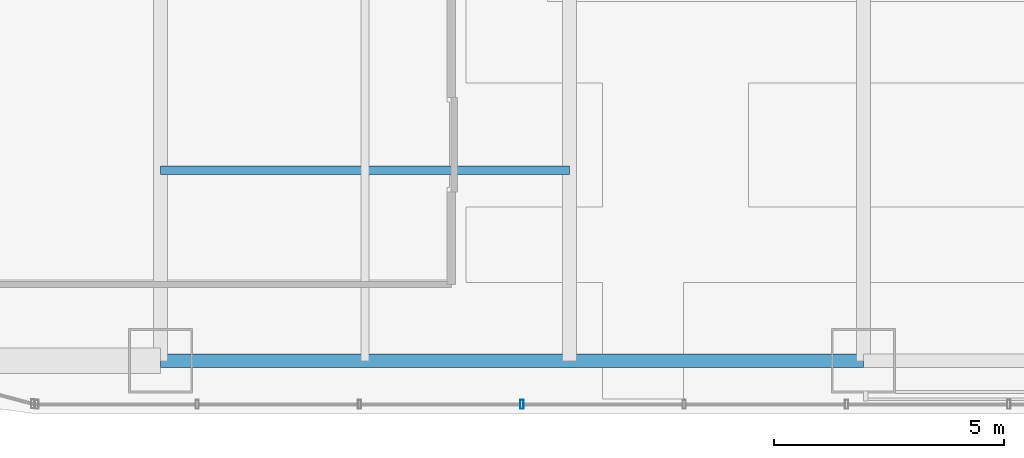
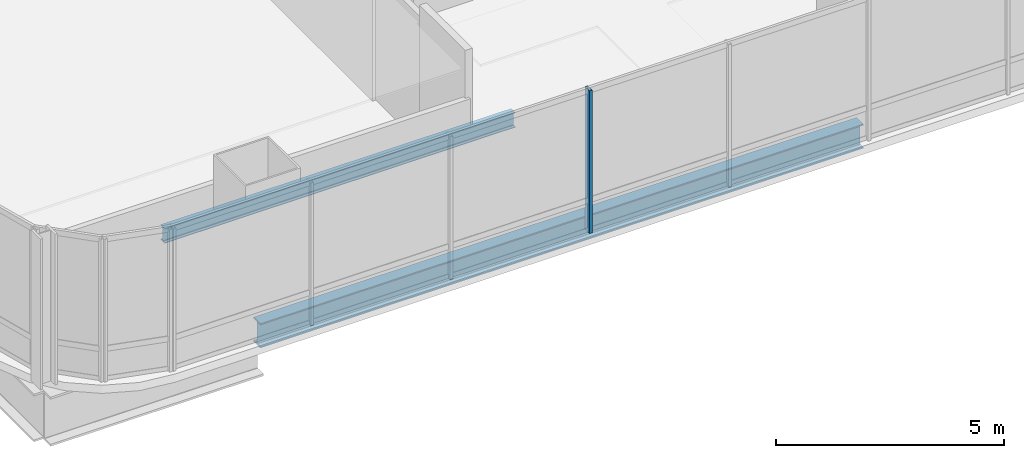
# One storey, part 3 of 38: 2 beams, 1 member, 1 element without a shape of its own.
"""IFC4 building model written with IfcOpenShell, lengths in metres."""

from ifc_helpers import new_model, si_unit, direction, frame, origin, origin_2d, place, context, subcontext, project, spatial, hollow_rectangle, i_section, extrude, material, material_profile, profile_set, type_object, element, aggregate, save


model = new_model("IFC4")

# Units and contexts
model_context = context("Model", 3, precision=1e-05, world=origin(), true_north=direction((0.0, 1.0)))
body_context = subcontext(model_context, "Body", "Model", "MODEL_VIEW")
ifc_project = project(units=[si_unit("LENGTHUNIT", "METRE"), si_unit("AREAUNIT", "SQUARE_METRE"), si_unit("VOLUMEUNIT", "CUBIC_METRE"), si_unit("PLANEANGLEUNIT", "RADIAN"), si_unit("MASSUNIT", "GRAM", prefix="KILO")], contexts=[model_context])

# Site, building, storey
site_placement = place(None, origin())
site = spatial("IfcSite", under=ifc_project, at=site_placement, CompositionType="ELEMENT")
building_placement = place(site_placement, origin())
building = spatial("IfcBuilding", under=site, at=building_placement, Name="Punatoya Terracotta Tower", CompositionType="ELEMENT")
storey_placement = place(building_placement, frame((0.0, 0.0, 151.949951171875)))
storey = spatial("IfcBuildingStorey", under=building, at=storey_placement, Name="L35", CompositionType="ELEMENT", Elevation=151.949951171875)

# Beams
ifc_material_1 = material(Name="Steel S355", Category="steel")
ifc_material_profile_1 = material_profile(ifc_material_1, i_section(OverallWidth=0.300048828125, OverallDepth=0.64990234375, WebThickness=0.01611328125, FlangeThickness=0.031005859375, FilletRadius=0.01806640625, at=origin_2d()))
ifc_profile_set_1 = profile_set([ifc_material_profile_1], Name="Steel S355")
beam_type_1 = type_object("IfcBeamType", Name="BM-PRI-650", PredefinedType="BEAM", material=ifc_profile_set_1)
beam_1_placement = place(storey_placement, frame((-19.10009765625, -17.5, -0.544921875), z_axis=(1.0, 0.0, 0.0), x_axis=(0.0, 1.0, 0.0)))
element("IfcBeam", 1, at=beam_1_placement, inside=storey, type_object=beam_type_1, Name="BM-L35-RG-S1", PredefinedType="BEAM", context=body_context, shape_type="SweptSolid", body=[
    extrude(i_section(OverallWidth=0.300048828125, OverallDepth=0.64990234375, WebThickness=0.01611328125, FlangeThickness=0.031005859375, FilletRadius=0.01806640625, at=origin_2d()), origin(), (0.0, 0.0, 1.0), 15.300048828125),
])
ifc_material_profile_2 = material_profile(ifc_material_1, i_section(OverallWidth=0.179931640625, OverallDepth=0.39990234375, WebThickness=0.008544921875, FlangeThickness=0.013427734375, FilletRadius=0.01806640625, at=origin_2d()))
ifc_profile_set_2 = profile_set([ifc_material_profile_2], Name="Steel S355")
beam_type_2 = type_object("IfcBeamType", Name="BM-SEC-400", PredefinedType="JOIST", material=ifc_profile_set_2)
beam_2_placement = place(storey_placement, frame((-19.10009765625, -13.35009765625, -0.419921875), z_axis=(1.0, 0.0, 0.0), x_axis=(0.0, 1.0, 0.0)))
element("IfcBeam", 2, at=beam_2_placement, inside=storey, type_object=beam_type_2, Name="BM-L35-SJS-1", PredefinedType="JOIST", context=body_context, shape_type="SweptSolid", body=[
    extrude(i_section(OverallWidth=0.179931640625, OverallDepth=0.39990234375, WebThickness=0.008544921875, FlangeThickness=0.013427734375, FilletRadius=0.01806640625, at=origin_2d()), origin(), (0.0, 0.0, 1.0), 8.900146484375),
])

# Curtain wall, member
ifc_material_2 = material(Name="Aluminium 6063-T6 + Double Low-E Glass", Category="aluminium")
curtain_wall_type = type_object("IfcCurtainWallType", Name="CW-M2", PredefinedType="NOTDEFINED", material=ifc_material_2)
curtain_wall_placement = place(storey_placement, origin())
curtain_wall = element("IfcCurtainWall", 3, at=curtain_wall_placement, inside=storey, type_object=curtain_wall_type, Name="L35 Curtain Wall CW-L35-S01-1", PredefinedType="NOTDEFINED")
ifc_material_3 = material(Name="Aluminium 6063-T6", Category="aluminium")
ifc_material_profile_3 = material_profile(ifc_material_3, hollow_rectangle(XDim=0.072021484375, YDim=0.195068359375, WallThickness=0.00439453125, at=origin_2d()))
ifc_profile_set_3 = profile_set([ifc_material_profile_3], Name="Aluminium 6063-T6")
member_type = type_object("IfcMemberType", Name="CW-MUL-M2", PredefinedType="MULLION", material=ifc_profile_set_3)
member_placement = place(storey_placement, frame((-11.235107421875, -18.449951171875, 0.0), z_axis=(0.0, 0.0, 1.0), x_axis=(1.0, 0.0, 0.0)))
member = element("IfcMember", 4, at=member_placement, type_object=member_type, Name="CW-L35-S01-1 Mullion 03", PredefinedType="MULLION", context=body_context, shape_type="SweptSolid", body=[
    extrude(hollow_rectangle(XDim=0.072021484375, YDim=0.195068359375, WallThickness=0.00439453125, at=origin_2d()), origin(), (0.0, 0.0, 1.0), 3.830078125),
])
aggregate(curtain_wall, [member])

save(model, "model.ifc")
